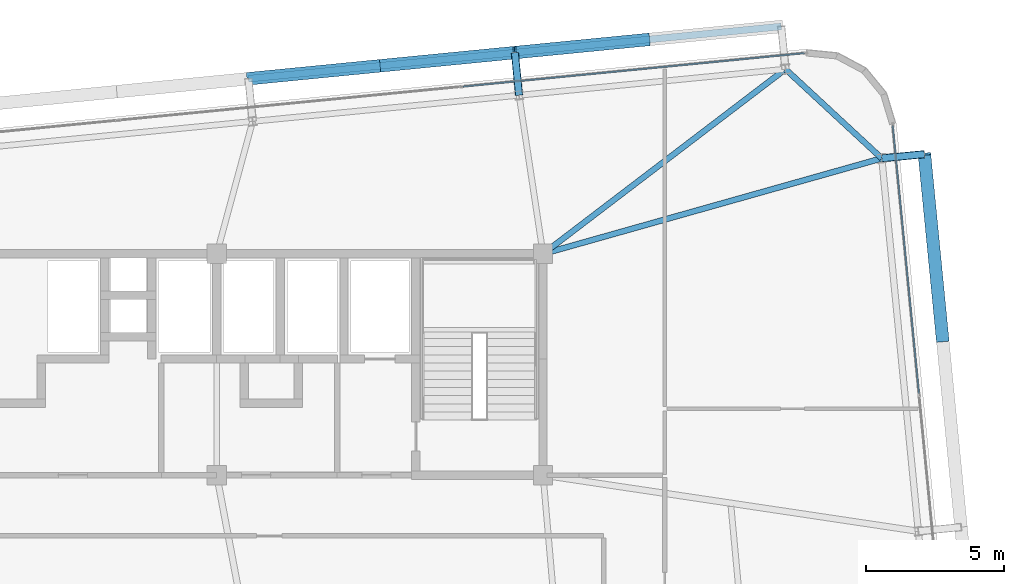
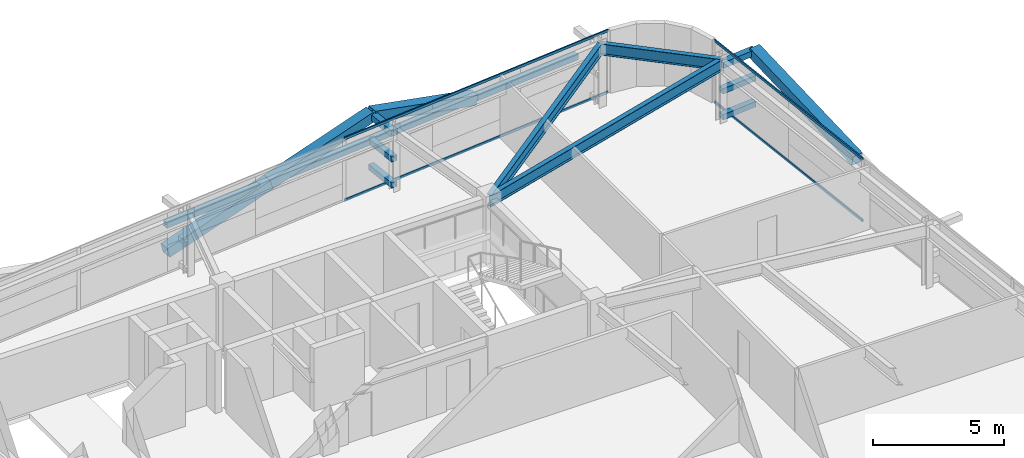
# One storey, part 30 of 47: 16 members, 3 beams, 2 elements without a shape of their own.
"""IFC4 building model written with IfcOpenShell, lengths in metres."""

from ifc_helpers import new_model, si_unit, direction, frame, origin, origin_2d, place, context, subcontext, project, spatial, hollow_rectangle, i_section, extrude, source, transform, mapped, material, layer, layer_set, material_profile, profile_set, type_object, element, aggregate, save


model = new_model("IFC4")

# Units and contexts
model_context = context("Model", 3, precision=1e-05, world=origin(), true_north=direction((0.0, 1.0)))
body_context = subcontext(model_context, "Body", "Model", "MODEL_VIEW")
ifc_project = project(units=[si_unit("LENGTHUNIT", "METRE"), si_unit("AREAUNIT", "SQUARE_METRE"), si_unit("VOLUMEUNIT", "CUBIC_METRE"), si_unit("PLANEANGLEUNIT", "RADIAN"), si_unit("MASSUNIT", "GRAM", prefix="KILO")], contexts=[model_context])

# Site, building, storey
site_placement = place(None, origin())
site = spatial("IfcSite", under=ifc_project, at=site_placement, CompositionType="ELEMENT")
building_placement = place(site_placement, origin())
building = spatial("IfcBuilding", under=site, at=building_placement, Name="Taldren Reach Tower", CompositionType="ELEMENT")
storey_placement = place(building_placement, frame((0.0, 0.0, 90.300048828125)))
storey = spatial("IfcBuildingStorey", under=building, at=storey_placement, Name="L27", CompositionType="ELEMENT", Elevation=90.300048828125)

# Beam
ifc_material_1 = material(Name="Steel Gr 350 (350PLUS)", Category="steel")
ifc_material_profile_1 = material_profile(ifc_material_1, i_section(OverallWidth=0.208984375, OverallDepth=0.528076171875, WebThickness=0.009521484375, FlangeThickness=0.01318359375, at=origin_2d()), Name="530UB82.0")
ifc_profile_set_1 = profile_set([ifc_material_profile_1], Name="Steel Gr 350 (350PLUS)")
beam_type_1 = type_object("IfcBeamType", Name="SP-UB530B", PredefinedType="SPANDREL", material=ifc_profile_set_1)
shared_shape_1 = source(origin(), body_context, "Body", "SweptSolid", [
    extrude(i_section(OverallWidth=0.208984375, OverallDepth=0.528076171875, WebThickness=0.009521484375, FlangeThickness=0.01318359375, at=origin_2d()), origin(), (0.0, 0.0, 1.0), 4.74609375),
])
beam_1_placement = place(storey_placement, frame((63.247314453125, 35.454345703125, 2.666015625), z_axis=(-0.733547883762, 0.679637772809, 0.0), x_axis=(-0.679637772809, -0.733547883762, 0.0)))
element("IfcBeam", 1, at=beam_1_placement, inside=storey, type_object=beam_type_1, Name="Perimeter spandrel B2 E3-N6 L27", PredefinedType="SPANDREL", context=body_context, shape_type="MappedRepresentation", body=[
    mapped(shared_shape_1, transform((0.0, 0.0, 0.0), scale=1.0)),
])

# Members
ifc_material_2 = material(Name="Steel Gr 450 (C450L0)", Category="steel")
ifc_material_profile_2 = material_profile(ifc_material_2, hollow_rectangle(XDim=0.27490234375, YDim=0.27490234375, WallThickness=0.00927734375, at=origin_2d()), Name="275x275x9.3SHS")
ifc_profile_set_2 = profile_set([ifc_material_profile_2], Name="Steel Gr 450 (C450L0)")
member_type_1 = type_object("IfcMemberType", Name="MB-TIE273", PredefinedType="STRUT", material=ifc_profile_set_2)
shared_shape_2 = source(origin(), body_context, "Body", "SweptSolid", [
    extrude(hollow_rectangle(XDim=0.27490234375, YDim=0.27490234375, WallThickness=0.00927734375, at=origin_2d()), origin(), (0.0, 0.0, 1.0), 1.5498046875),
])
for number, where, z_axis, x_axis, name in (
    (2, (50.132080078125, 37.7353515625, 2.64990234375), (-0.097663201064, 0.995219523099, 0.0), (-0.995219523099, -0.097663201064, 0.0), "Exoskeleton diaphragm tie strut B2-N5 L27"),
    (3, (63.247314453125, 35.454345703125, 2.64990234375), (0.995234821595, 0.097507178627, 0.0), (-0.097507178627, 0.995234821595, 0.0), "Exoskeleton diaphragm tie strut B2-E3 L27"),
):
    element("IfcMember", number, at=place(storey_placement, frame(where, z_axis=z_axis, x_axis=x_axis)), inside=storey, type_object=member_type_1, Name=name, PredefinedType="STRUT", context=body_context, shape_type="MappedRepresentation", body=[
        mapped(shared_shape_2, transform((0.0, 0.0, 0.0), scale=1.0)),
    ])
ifc_material_3 = material(Name="Steel Gr 350 (C350L0)", Category="steel")
ifc_material_profile_3 = material_profile(ifc_material_3, hollow_rectangle(XDim=0.25, YDim=0.25, WallThickness=0.010009765625, at=origin_2d()), Name="250x250x10.0SHS")
ifc_profile_set_3 = profile_set([ifc_material_profile_3], Name="Steel Gr 350 (C350L0)")
member_type_2 = type_object("IfcMemberType", Name="MB-POST250", PredefinedType="POST", material=ifc_profile_set_3)
shared_shape_3 = source(origin(), body_context, "Body", "SweptSolid", [
    extrude(hollow_rectangle(XDim=0.25, YDim=0.25, WallThickness=0.010009765625, at=origin_2d()), origin(), (0.0, 0.0, 1.0), 1.5498046875),
])
for number, where, z_axis, x_axis, name in (
    (4, (50.132080078125, 37.7353515625, 0.219970703125), (-0.097663201064, 0.995219523099, 0.0), (-0.995219523099, -0.097663201064, 0.0), "Exoskeleton base diaphragm tie strut B2-N5 L27"),
    (5, (63.247314453125, 35.454345703125, 0.219970703125), (0.995234821595, 0.097507178627, 0.0), (-0.097507178627, 0.995234821595, 0.0), "Exoskeleton base diaphragm tie strut B2-E3 L27"),
    (6, (50.132080078125, 37.7353515625, 1.43505859375), (-0.097663201064, 0.995219523099, 0.0), (-0.995219523099, -0.097663201064, 0.0), "Exoskeleton mid-tier diaphragm tie B2-N5 L27"),
    (7, (63.247314453125, 35.454345703125, 1.43505859375), (0.995234821595, 0.097507178627, 0.0), (-0.097507178627, 0.995234821595, 0.0), "Exoskeleton mid-tier diaphragm tie B2-E3 L27"),
):
    element("IfcMember", number, at=place(storey_placement, frame(where, z_axis=z_axis, x_axis=x_axis)), inside=storey, type_object=member_type_2, Name=name, PredefinedType="POST", context=body_context, shape_type="MappedRepresentation", body=[
        mapped(shared_shape_3, transform((0.0, 0.0, 0.0), scale=1.0)),
    ])

# Beams
ifc_material_profile_4 = material_profile(ifc_material_1, i_section(OverallWidth=0.208984375, OverallDepth=0.532958984375, WebThickness=0.01025390625, FlangeThickness=0.015625, at=origin_2d()), Name="530UB92.4")
ifc_profile_set_4 = profile_set([ifc_material_profile_4], Name="Steel Gr 350 (350PLUS)")
beam_type_2 = type_object("IfcBeamType", Name="BM-UB530A", PredefinedType="BEAM", material=ifc_profile_set_4)
shared_shape_4 = source(origin(), body_context, "Body", "SweptSolid", [
    extrude(i_section(OverallWidth=0.208984375, OverallDepth=0.532958984375, WebThickness=0.01025390625, FlangeThickness=0.015625, at=origin_2d()), origin(), (0.0, 0.0, 1.0), 12.72509765625),
])
beam_2_placement = place(storey_placement, frame((51.0, 32.0, 2.663330078125), z_axis=(0.962450190096, 0.271458342264, 0.0), x_axis=(-0.271458342264, 0.962450190096, 0.0)))
element("IfcBeam", 8, at=beam_2_placement, inside=storey, type_object=beam_type_2, Name="Primary floor girder B2-E3 L27", PredefinedType="BEAM", context=body_context, shape_type="MappedRepresentation", body=[
    mapped(shared_shape_4, transform((0.0, 0.0, 0.0), scale=1.0)),
])
shared_shape_5 = source(origin(), body_context, "Body", "SweptSolid", [
    extrude(i_section(OverallWidth=0.208984375, OverallDepth=0.532958984375, WebThickness=0.01025390625, FlangeThickness=0.015625, at=origin_2d()), origin(), (0.0, 0.0, 1.0), 11.02099609375),
])
beam_3_placement = place(storey_placement, frame((51.0, 32.0, 2.663330078125), z_axis=(0.795380356763, 0.606110623629, 0.0), x_axis=(-0.606110623629, 0.795380356763, 0.0)))
element("IfcBeam", 9, at=beam_3_placement, inside=storey, type_object=beam_type_2, Name="Primary floor girder B2-N6 L27", PredefinedType="BEAM", context=body_context, shape_type="MappedRepresentation", body=[
    mapped(shared_shape_5, transform((0.0, 0.0, 0.0), scale=1.0)),
])

# Members
ifc_material_profile_5 = material_profile(ifc_material_2, hollow_rectangle(XDim=0.4599609375, YDim=0.4599609375, WallThickness=0.01611328125, at=origin_2d()), Name="460x460x16.0SHS")
ifc_profile_set_5 = profile_set([ifc_material_profile_5], Name="Steel Gr 450 (C450L0)")
member_type_3 = type_object("IfcMemberType", Name="MB-EXO457", PredefinedType="BRACE", material=ifc_profile_set_5)
shared_shape_6 = source(origin(), body_context, "Body", "SweptSolid", [
    extrude(hollow_rectangle(XDim=0.4599609375, YDim=0.4599609375, WallThickness=0.01611328125, at=origin_2d()), origin(), (0.0, 0.0, 1.0), 4.990234375),
])
for number, where, z_axis, x_axis, name in (
    (10, (40.346923828125, 38.333251953125, 0.219970703125), (0.965271056716, 0.094667992638, 0.243494883389), (-0.097605711627, 0.995225162995, 0.0), "Exoskeleton Diagrid Brace B2-N4 L27"),
    (11, (45.163818359375, 38.8056640625, 1.43505859375), (0.965287024526, 0.094620633828, 0.24344998652), (-0.097555749586, 0.995230061706, 0.0), "Exoskeleton Diagrid Brace B2-N4 L27"),
    (12, (54.797607421875, 39.750244140625, 1.43505859375), (-0.965282554799, -0.094669120301, 0.243448859234), (0.097605711627, -0.995225162995, 0.0), "Exoskeleton Diagrid Brace B2-N5 L27"),
):
    element("IfcMember", number, at=place(storey_placement, frame(where, z_axis=z_axis, x_axis=x_axis)), inside=storey, type_object=member_type_3, Name=name, PredefinedType="BRACE", context=body_context, shape_type="MappedRepresentation", body=[
        mapped(shared_shape_6, transform((0.0, 0.0, 0.0), scale=1.0)),
    ])
shared_shape_7 = source(origin(), body_context, "Body", "SweptSolid", [
    extrude(hollow_rectangle(XDim=0.25, YDim=0.25, WallThickness=0.010009765625, at=origin_2d()), origin(), (0.0, 0.0, 1.0), 9.679931640625),
])
for number, where, z_axis, x_axis, name in (
    (13, (40.346923828125, 38.333251953125, 1.43505859375), (0.995227612658, 0.097580730699, 0.0), (-0.097580730699, 0.995227612658, 0.0), "Exoskeleton mid-height ring chord B2-N4 L27"),
    (14, (49.980712890625, 39.27783203125, 1.43505859375), (0.995227612658, 0.097580730699, 0.0), (-0.097580730699, 0.995227612658, 0.0), "Exoskeleton mid-height ring chord B2-N5 L27"),
):
    element("IfcMember", number, at=place(storey_placement, frame(where, z_axis=z_axis, x_axis=x_axis)), inside=storey, type_object=member_type_2, Name=name, PredefinedType="POST", context=body_context, shape_type="MappedRepresentation", body=[
        mapped(shared_shape_7, transform((0.0, 0.0, 0.0), scale=1.0)),
    ])
shared_shape_8 = source(origin(), body_context, "Body", "SweptSolid", [
    extrude(hollow_rectangle(XDim=0.4599609375, YDim=0.4599609375, WallThickness=0.01611328125, at=origin_2d()), origin(), (0.0, 0.0, 1.0), 6.883056640625),
])
member_1_placement = place(storey_placement, frame((65.450927734375, 28.86279296875, 1.43505859375), z_axis=(-0.096052059581, 0.979603316657, 0.176497432967), x_axis=(-0.995227290009, -0.097584021339, 0.0)))
element("IfcMember", 15, at=member_1_placement, inside=storey, type_object=member_type_3, Name="Exoskeleton Diagrid Brace B2-E2 L27", PredefinedType="BRACE", context=body_context, shape_type="MappedRepresentation", body=[
    mapped(shared_shape_8, transform((0.0, 0.0, 0.0), scale=1.0)),
])

# Curtain wall, members
ifc_material_4 = material(Name="Aluminium and Low-E Glass Unitised System", Category="aluminium")
ifc_layer = layer(ifc_material_4, 0.159912109375)
ifc_layer_set = layer_set([ifc_layer], Name="Aluminium and Low-E Glass Unitised System")
curtain_wall_type = type_object("IfcCurtainWallType", Name="CW-SYS-3", PredefinedType="NOTDEFINED", material=ifc_layer_set)
curtain_wall_1_placement = place(storey_placement, origin())
curtain_wall_1 = element("IfcCurtainWall", 16, at=curtain_wall_1_placement, inside=storey, type_object=curtain_wall_type, Name="Unitised curtain wall CW-L27-N", PredefinedType="NOTDEFINED")
ifc_material_5 = material(Name="Anodised Aluminium 6063-T6", Category="aluminium")
ifc_material_profile_6 = material_profile(ifc_material_5, hollow_rectangle(XDim=0.054931640625, YDim=0.1201171875, WallThickness=0.0029296875, at=origin_2d()), Name="ALU-120x55x3RHS")
ifc_profile_set_6 = profile_set([ifc_material_profile_6], Name="Anodised Aluminium 6063-T6")
member_type_4 = type_object("IfcMemberType", Name="CW-TRN-135", PredefinedType="USERDEFINED", material=ifc_profile_set_6)
shared_shape_9 = source(origin(), body_context, "Body", "SweptSolid", [
    extrude(hollow_rectangle(XDim=0.054931640625, YDim=0.1201171875, WallThickness=0.0029296875, at=origin_2d()), origin(), (0.0, 0.0, 1.0), 12.402587890625),
])
member_2_placement = place(storey_placement, frame((60.447509765625, 39.25927734375, 0.02734375), z_axis=(-0.995225976096, -0.097597420576, 0.0), x_axis=(0.097597420576, -0.995225976096, 0.0)))
member_2 = element("IfcMember", 17, at=member_2_placement, type_object=member_type_4, Name="CW-3 transom 1.1", ObjectType="TRANSOM", PredefinedType="USERDEFINED", context=body_context, shape_type="MappedRepresentation", body=[
    mapped(shared_shape_9, transform((0.0, 0.0, 0.0), scale=1.0)),
])
member_3_placement = place(storey_placement, frame((60.447509765625, 39.25927734375, 2.90234375), z_axis=(-0.995225976096, -0.097597420576, 0.0), x_axis=(0.097597420576, -0.995225976096, 0.0)))
member_3 = element("IfcMember", 18, at=member_3_placement, type_object=member_type_4, Name="CW-3 transom 1.2", ObjectType="TRANSOM", PredefinedType="USERDEFINED", context=body_context, shape_type="MappedRepresentation", body=[
    mapped(shared_shape_9, transform((0.0, 0.0, 0.0), scale=1.0)),
])
aggregate(curtain_wall_1, [member_2, member_3])

curtain_wall_2_placement = place(storey_placement, origin())
curtain_wall_2 = element("IfcCurtainWall", 19, at=curtain_wall_2_placement, inside=storey, type_object=curtain_wall_type, Name="Unitised curtain wall CW-L27-E", PredefinedType="NOTDEFINED")
shared_shape_10 = source(origin(), body_context, "Body", "SweptSolid", [
    extrude(hollow_rectangle(XDim=0.054931640625, YDim=0.1201171875, WallThickness=0.0029296875, at=origin_2d()), origin(), (0.0, 0.0, 1.0), 9.73583984375),
])
member_4_placement = place(storey_placement, frame((64.593994140625, 26.944091796875, 0.02734375), z_axis=(-0.097571911043, 0.995228477374, 0.0), x_axis=(-0.995228477374, -0.097571911043, 0.0)))
member_4 = element("IfcMember", 20, at=member_4_placement, type_object=member_type_4, Name="CW-3 transom 3.1", ObjectType="TRANSOM", PredefinedType="USERDEFINED", context=body_context, shape_type="MappedRepresentation", body=[
    mapped(shared_shape_10, transform((0.0, 0.0, 0.0), scale=1.0)),
])
member_5_placement = place(storey_placement, frame((64.593994140625, 26.944091796875, 2.90234375), z_axis=(-0.097571911043, 0.995228477374, 0.0), x_axis=(-0.995228477374, -0.097571911043, 0.0)))
member_5 = element("IfcMember", 21, at=member_5_placement, type_object=member_type_4, Name="CW-3 transom 3.2", ObjectType="TRANSOM", PredefinedType="USERDEFINED", context=body_context, shape_type="MappedRepresentation", body=[
    mapped(shared_shape_10, transform((0.0, 0.0, 0.0), scale=1.0)),
])
aggregate(curtain_wall_2, [member_4, member_5])

save(model, "model.ifc")
